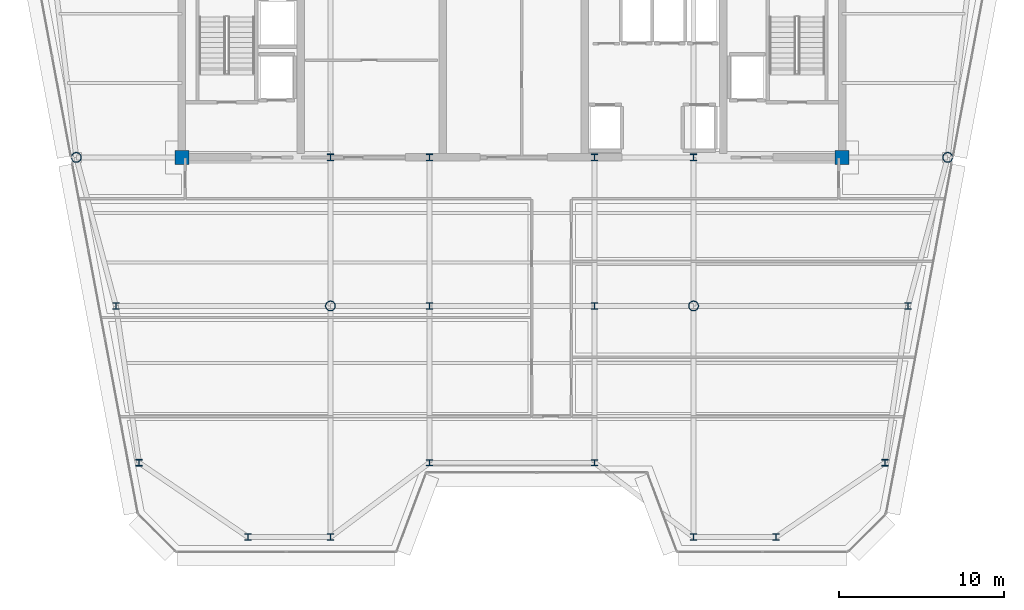
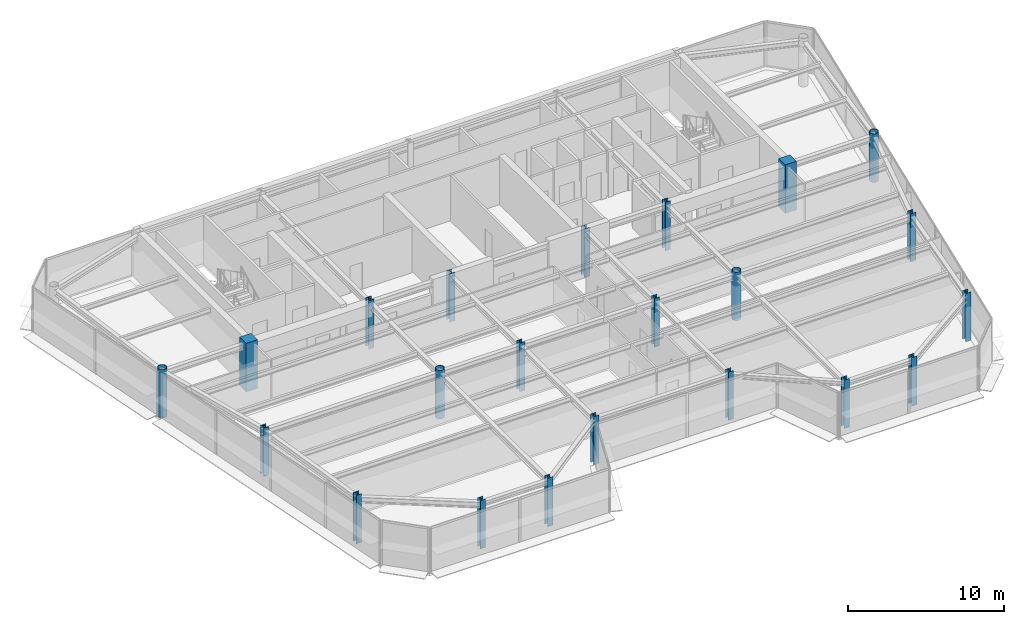
# One storey, part 1 of 20: 22 columns.
"""IFC4 building model written with IfcOpenShell, lengths in metres."""

from ifc_helpers import new_model, si_unit, direction, frame, origin, origin_2d, place, context, subcontext, project, spatial, rectangle, hollow_circle, i_section, extrude, source, transform, mapped, material, material_profile, profile_set, type_object, element, save


model = new_model("IFC4")

# Units and contexts
model_context = context("Model", 3, precision=1e-05, world=origin(), true_north=direction((0.0, 1.0)))
body_context = subcontext(model_context, "Body", "Model", "MODEL_VIEW")
ifc_project = project(units=[si_unit("LENGTHUNIT", "METRE"), si_unit("AREAUNIT", "SQUARE_METRE"), si_unit("VOLUMEUNIT", "CUBIC_METRE"), si_unit("PLANEANGLEUNIT", "RADIAN"), si_unit("MASSUNIT", "GRAM", prefix="KILO")], contexts=[model_context])

# Site, building, storey
site_placement = place(None, origin())
site = spatial("IfcSite", under=ifc_project, at=site_placement, CompositionType="ELEMENT")
building_placement = place(site_placement, origin())
building = spatial("IfcBuilding", under=site, at=building_placement, Name="Vaeldorn Concourse Tower", CompositionType="ELEMENT")
storey_placement = place(building_placement, frame((0.0, 0.0, 280.199951171875)))
storey = spatial("IfcBuildingStorey", under=building, at=storey_placement, Name="L72", CompositionType="ELEMENT", Elevation=280.199951171875)

# Columns
ifc_material_1 = material(Name="Concrete C50/60", Category="concrete")
ifc_material_profile_1 = material_profile(ifc_material_1, rectangle(XDim=0.85009765625, YDim=0.85009765625, at=origin_2d()), Name="RC 850x850")
ifc_profile_set_1 = profile_set([ifc_material_profile_1], Name="Concrete C50/60")
column_type_1 = type_object("IfcColumnType", Name="COL-RC850", PredefinedType="COLUMN", material=ifc_profile_set_1)
shared_shape_1 = source(origin(), body_context, "Body", "SweptSolid", [
    extrude(rectangle(XDim=0.85009765625, YDim=0.85009765625, at=origin_2d()), origin(), (0.0, 0.0, 1.0), 3.800048828125),
])
for number, where, z_axis, x_axis, name in (
    (1, (14.0, 36.5, 0.0), (0.0, 0.0, 1.0), (1.0, 0.0, 0.0), "Column C-FC1 L72"),
    (2, (54.0, 36.5, 0.0), (0.0, 0.0, 1.0), (1.0, 0.0, 0.0), "Column C-FC6 L72"),
):
    element("IfcColumn", number, at=place(storey_placement, frame(where, z_axis=z_axis, x_axis=x_axis)), inside=storey, type_object=column_type_1, Name=name, PredefinedType="COLUMN", context=body_context, shape_type="MappedRepresentation", body=[
        mapped(shared_shape_1, transform((0.0, 0.0, 0.0), scale=1.0)),
    ])
ifc_material_2 = material(Name="Steel S355", Category="steel")
ifc_material_profile_2 = material_profile(ifc_material_2, i_section(OverallWidth=0.406005859375, OverallDepth=0.416015625, WebThickness=0.02978515625, FlangeThickness=0.0419921875, FilletRadius=0.014892578125, at=origin_2d()), Name="HD 400x382")
ifc_profile_set_2 = profile_set([ifc_material_profile_2], Name="Steel S355")
column_type_2 = type_object("IfcColumnType", Name="COL-HD382", PredefinedType="COLUMN", material=ifc_profile_set_2)
shared_shape_2 = source(origin(), body_context, "Body", "SweptSolid", [
    extrude(i_section(OverallWidth=0.406005859375, OverallDepth=0.416015625, WebThickness=0.02978515625, FlangeThickness=0.0419921875, FilletRadius=0.014892578125, at=origin_2d()), origin(), (0.0, 0.0, 1.0), 3.800048828125),
])
for number, where, z_axis, x_axis, name in (
    (3, (23.0, 36.5, 0.0), (0.0, 0.0, 1.0), (1.0, 0.0, 0.0), "Column C-FC2 L72"),
    (4, (29.0, 36.5, 0.0), (0.0, 0.0, 1.0), (1.0, 0.0, 0.0), "Column C-FC3 L72"),
    (5, (39.0, 36.5, 0.0), (0.0, 0.0, 1.0), (1.0, 0.0, 0.0), "Column C-FC4 L72"),
    (6, (45.0, 36.5, 0.0), (0.0, 0.0, 1.0), (1.0, 0.0, 0.0), "Column C-FC5 L72"),
):
    element("IfcColumn", number, at=place(storey_placement, frame(where, z_axis=z_axis, x_axis=x_axis)), inside=storey, type_object=column_type_2, Name=name, PredefinedType="COLUMN", context=body_context, shape_type="MappedRepresentation", body=[
        mapped(shared_shape_2, transform((0.0, 0.0, 0.0), scale=1.0)),
    ])
ifc_material_profile_3 = material_profile(ifc_material_2, hollow_circle(Radius=0.304931640625, WallThickness=0.030029296875, at=origin_2d()), Name="CHS 610x30")
ifc_profile_set_3 = profile_set([ifc_material_profile_3], Name="Steel S355")
column_type_3 = type_object("IfcColumnType", Name="COL-CHS610", PredefinedType="COLUMN", material=ifc_profile_set_3)
shared_shape_3 = source(origin(), body_context, "Body", "SweptSolid", [
    extrude(hollow_circle(Radius=0.304931640625, WallThickness=0.030029296875, at=origin_2d()), origin(), (0.0, 0.0, 1.0), 3.800048828125),
])
for number, where, z_axis, x_axis, name in (
    (7, (7.60009765625, 36.5, 0.0), (0.0, 0.0, 1.0), (1.0, 0.0, 0.0), "Column C-NW2 L72"),
    (8, (60.39990234375, 36.5, 0.0), (0.0, 0.0, 1.0), (1.0, 0.0, 0.0), "Column C-NE2 L72"),
    (9, (23.0, 27.5, 0.0), (0.0, 0.0, 1.0), (1.0, 0.0, 0.0), "Column C-TW1 L72"),
    (10, (45.0, 27.5, 0.0), (0.0, 0.0, 1.0), (1.0, 0.0, 0.0), "Column C-TW4 L72"),
):
    element("IfcColumn", number, at=place(storey_placement, frame(where, z_axis=z_axis, x_axis=x_axis)), inside=storey, type_object=column_type_3, Name=name, PredefinedType="COLUMN", context=body_context, shape_type="MappedRepresentation", body=[
        mapped(shared_shape_3, transform((0.0, 0.0, 0.0), scale=1.0)),
    ])
ifc_material_profile_4 = material_profile(ifc_material_2, i_section(OverallWidth=0.40087890625, OverallDepth=0.39892578125, WebThickness=0.02490234375, FlangeThickness=0.034912109375, FilletRadius=0.014892578125, at=origin_2d()), Name="HD 400x314")
ifc_profile_set_4 = profile_set([ifc_material_profile_4], Name="Steel S355")
column_type_4 = type_object("IfcColumnType", Name="COL-HD314F", PredefinedType="COLUMN", material=ifc_profile_set_4)
shared_shape_4 = source(origin(), body_context, "Body", "SweptSolid", [
    extrude(i_section(OverallWidth=0.40087890625, OverallDepth=0.39892578125, WebThickness=0.02490234375, FlangeThickness=0.034912109375, FilletRadius=0.014892578125, at=origin_2d()), origin(), (0.0, 0.0, 1.0), 3.800048828125),
])
for number, where, z_axis, x_axis, name in (
    (11, (10.0, 27.5, 0.0), (0.0, 0.0, 1.0), (1.0, 0.0, 0.0), "Column C-FLW1 L72"),
    (12, (11.39990234375, 18.0, 0.0), (0.0, 0.0, 1.0), (1.0, 0.0, 0.0), "Column C-FLW2 L72"),
    (13, (58.0, 27.5, 0.0), (0.0, 0.0, 1.0), (1.0, 0.0, 0.0), "Column C-FLE1 L72"),
    (14, (56.60009765625, 18.0, 0.0), (0.0, 0.0, 1.0), (1.0, 0.0, 0.0), "Column C-FLE2 L72"),
):
    element("IfcColumn", number, at=place(storey_placement, frame(where, z_axis=z_axis, x_axis=x_axis)), inside=storey, type_object=column_type_4, Name=name, PredefinedType="COLUMN", context=body_context, shape_type="MappedRepresentation", body=[
        mapped(shared_shape_4, transform((0.0, 0.0, 0.0), scale=1.0)),
    ])
ifc_material_profile_5 = material_profile(ifc_material_2, i_section(OverallWidth=0.39794921875, OverallDepth=0.386962890625, WebThickness=0.0205078125, FlangeThickness=0.029052734375, FilletRadius=0.014892578125, at=origin_2d()), Name="HD 400x262")
ifc_profile_set_5 = profile_set([ifc_material_profile_5], Name="Steel S355")
column_type_5 = type_object("IfcColumnType", Name="COL-HD262T", PredefinedType="COLUMN", material=ifc_profile_set_5)
shared_shape_5 = source(origin(), body_context, "Body", "SweptSolid", [
    extrude(i_section(OverallWidth=0.39794921875, OverallDepth=0.386962890625, WebThickness=0.0205078125, FlangeThickness=0.029052734375, FilletRadius=0.014892578125, at=origin_2d()), origin(), (0.0, 0.0, 1.0), 3.800048828125),
])
for number, where, z_axis, x_axis, name in (
    (15, (29.0, 27.5, 0.0), (0.0, 0.0, 1.0), (1.0, 0.0, 0.0), "Column C-TW2 L72"),
    (16, (39.0, 27.5, 0.0), (0.0, 0.0, 1.0), (1.0, 0.0, 0.0), "Column C-TW3 L72"),
    (17, (18.0, 13.5, 0.0), (0.0, 0.0, 1.0), (1.0, 0.0, 0.0), "Column C-SF1 L72"),
    (18, (23.0, 13.5, 0.0), (0.0, 0.0, 1.0), (1.0, 0.0, 0.0), "Column C-SF2 L72"),
    (19, (29.0, 18.0, 0.0), (0.0, 0.0, 1.0), (1.0, 0.0, 0.0), "Column C-SF3 L72"),
    (20, (39.0, 18.0, 0.0), (0.0, 0.0, 1.0), (1.0, 0.0, 0.0), "Column C-SF4 L72"),
    (21, (45.0, 13.5, 0.0), (0.0, 0.0, 1.0), (1.0, 0.0, 0.0), "Column C-SF5 L72"),
    (22, (50.0, 13.5, 0.0), (0.0, 0.0, 1.0), (1.0, 0.0, 0.0), "Column C-SF6 L72"),
):
    element("IfcColumn", number, at=place(storey_placement, frame(where, z_axis=z_axis, x_axis=x_axis)), inside=storey, type_object=column_type_5, Name=name, PredefinedType="COLUMN", context=body_context, shape_type="MappedRepresentation", body=[
        mapped(shared_shape_5, transform((0.0, 0.0, 0.0), scale=1.0)),
    ])

save(model, "model.ifc")
